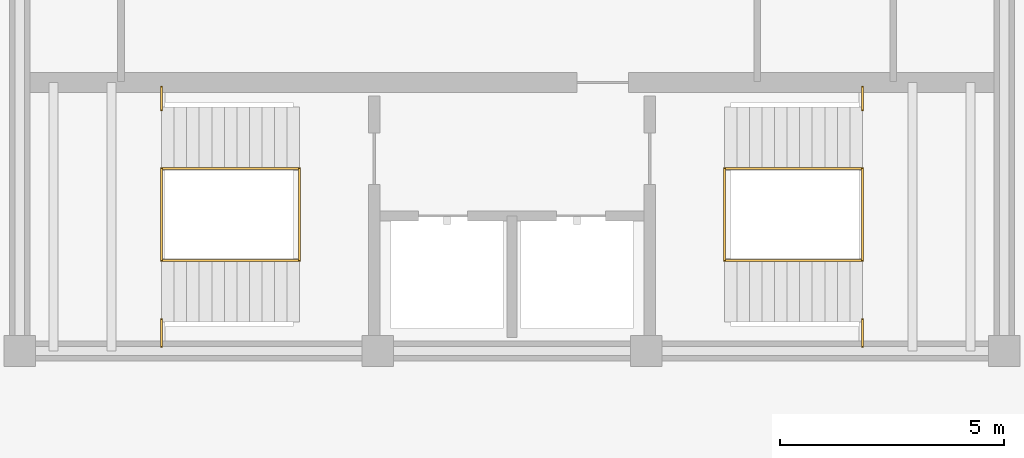
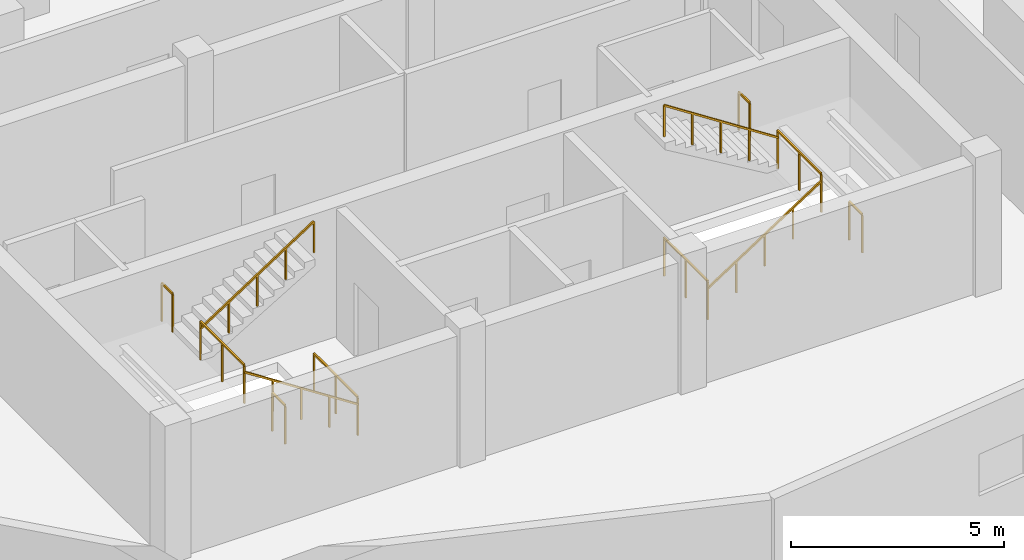
# One storey, part 4 of 5: 12 railings.
"""IFC4 building model written with IfcOpenShell, lengths in metres."""

import ifcopenshell
import ifcopenshell.guid

model = None  # the IFC model being written
_history = None  # IfcOwnerHistory: only IFC2X3 demands one
_inside = {}  # id of a spatial element -> (the spatial element, [elements in it])
_under = {}  # id of a project, library or spatial element -> (it, [spatial elements below it])
_declared = {}  # id of a project -> (the project, [libraries it declares])
_typed = {}  # id of a type object -> (the type object, [elements of that type])
_made_of = {}  # id of a material, layer set ... -> (it, [elements and type objects made of it])


def new_model(schema):
    """Start an empty IFC model of exactly this schema.

    Asked for "IFC4X3", IfcOpenShell would pick the latest addendum, in which some entities
    have other attributes; the version numbers below select the first issue.
    IFC2X3 requires an IfcOwnerHistory on every rooted entity: one is made here for all.
    """
    global model, _history
    if schema == "IFC4X3":
        model = ifcopenshell.file(schema_version=(4, 3, 0, 0))
    else:
        model = ifcopenshell.file(schema=schema)
    _inside.clear()
    _under.clear()
    _declared.clear()
    _typed.clear()
    _made_of.clear()
    _history = None
    if model.schema == "IFC2X3":
        org = make("IfcOrganization", Name="unknown")
        user = make(
            "IfcPersonAndOrganization",
            ThePerson=make("IfcPerson", FamilyName="unknown"),
            TheOrganization=org,
        )
        app = make(
            "IfcApplication",
            ApplicationDeveloper=org,
            Version="unknown",
            ApplicationFullName="unknown",
            ApplicationIdentifier="unknown",
        )
        _history = make(
            "IfcOwnerHistory",
            OwningUser=user,
            OwningApplication=app,
            ChangeAction="ADDED",
            CreationDate=0,
        )
    return model


def make(cls, **values):
    """One entity of the class cls with the attributes given. An attribute that is None is left unset."""
    return model.create_entity(
        cls, **{name: value for name, value in values.items() if value is not None}
    )


def rooted(cls, **values):
    """An entity with a GlobalId (a new one), such as an element, a storey or a relation."""
    return make(cls, GlobalId=ifcopenshell.guid.new(), OwnerHistory=_history, **values)


def si_unit(unit_type, name, prefix=None):
    """IfcSIUnit, for example si_unit("LENGTHUNIT", "METRE", prefix="MILLI")."""
    return make("IfcSIUnit", UnitType=unit_type, Prefix=prefix, Name=name)


def assignment(units):
    """IfcUnitAssignment: the units of a project."""
    return None if units is None else make("IfcUnitAssignment", Units=units)


def point(xyz):
    """IfcCartesianPoint."""
    return None if xyz is None else make("IfcCartesianPoint", Coordinates=xyz)


def direction(xyz):
    """IfcDirection."""
    return None if xyz is None else make("IfcDirection", DirectionRatios=xyz)


def frame(location, z_axis=None, x_axis=None):
    """IfcAxis2Placement3D, a coordinate frame: its origin and axes. An axis left out is left unset."""
    return make(
        "IfcAxis2Placement3D",
        Location=point(location),
        Axis=direction(z_axis),
        RefDirection=direction(x_axis),
    )


def frame_2d(location, x_axis=None):
    """IfcAxis2Placement2D, a coordinate frame in the plane: its origin and x axis."""
    return make(
        "IfcAxis2Placement2D", Location=point(location), RefDirection=direction(x_axis)
    )


def origin():
    """The frame at (0, 0, 0) with its axes left unset."""
    return frame((0.0, 0.0, 0.0))


def origin_2d():
    """The frame at (0, 0) in the plane with its x axis left unset."""
    return frame_2d((0.0, 0.0))


def place(relative_to, where):
    """IfcLocalPlacement: puts the frame where relative to a parent placement (None: the world)."""
    return make(
        "IfcLocalPlacement", PlacementRelTo=relative_to, RelativePlacement=where
    )


def context(
    kind, dimensions, precision=None, world=None, true_north=None, identifier=None
):
    """IfcGeometricRepresentationContext, for example the 3D "Model" context."""
    return make(
        "IfcGeometricRepresentationContext",
        ContextIdentifier=identifier,
        ContextType=kind,
        CoordinateSpaceDimension=dimensions,
        Precision=precision,
        WorldCoordinateSystem=world,
        TrueNorth=true_north,
    )


def subcontext(parent, identifier, kind, view, scale=None):
    """IfcGeometricRepresentationSubContext, for example "Body" below "Model"."""
    return make(
        "IfcGeometricRepresentationSubContext",
        ContextIdentifier=identifier,
        ContextType=kind,
        ParentContext=parent,
        TargetScale=scale,
        TargetView=view,
    )


def project(units=None, contexts=None):
    """IfcProject with its units and contexts."""
    return rooted(
        "IfcProject",
        Name="project",
        RepresentationContexts=contexts,
        UnitsInContext=assignment(units),
    )


def spatial(cls, under=None, at=None, **own):
    """A site, building, storey or space (cls), placed at a placement, below another one or the project."""
    s = rooted(cls, ObjectPlacement=at, **own)
    if under is not None:
        _under.setdefault(under.id(), (under, []))[1].append(s)
    return s


def profile(cls, at=None, kind="AREA", **sizes):
    """A parametric profile (cls). Its sizes go by their IFC names, for example OverallWidth=200.0."""
    return make(cls, ProfileType=kind, Position=at, **sizes)


def rectangle(**sizes):
    """IfcRectangleProfileDef."""
    return profile("IfcRectangleProfileDef", **sizes)


def extrude(swept, where, along, depth):
    """IfcExtrudedAreaSolid: the profile swept, set in the frame where, extruded along a direction by depth."""
    return make(
        "IfcExtrudedAreaSolid",
        SweptArea=swept,
        Position=where,
        ExtrudedDirection=direction(along),
        Depth=depth,
    )


def shape(context_of_items, identifier, shape_type, items):
    """IfcShapeRepresentation: the items that make up one representation, for example the "Body"."""
    return make(
        "IfcShapeRepresentation",
        ContextOfItems=context_of_items,
        RepresentationIdentifier=identifier,
        RepresentationType=shape_type,
        Items=items,
    )


def material(Name=None, Category=None):
    """IfcMaterial."""
    return make("IfcMaterial", Name=Name, Category=Category)


def made_of(thing, what):
    """Note that an element or type object is made of a material, layer set ...; save() writes the relation."""
    if what is not None:
        _made_of.setdefault(what.id(), (what, []))[1].append(thing)
    return thing


def type_object(cls, material=None, **own):
    """A type object (cls), such as IfcWallType, which elements share."""
    return made_of(rooted(cls, **own), material)


def element(
    cls,
    number,
    at=None,
    inside=None,
    cuts=None,
    type_object=None,
    material=None,
    context=None,
    identifier="Body",
    shape_type=None,
    held_by="IfcProductDefinitionShape",
    body=None,
    shapes=None,
    **own,
):
    """One element of the class cls, such as IfcWall. Its Tag is "e" and its number.

    at: its placement. inside: the storey or other place that contains it. cuts: it is an
    opening in that element (IfcRelVoidsElement). A single representation is given by context,
    identifier, shape_type and body (its items); several are given by shapes. held_by: the class
    of the entity that holds the representations. save() writes the other relations.
    """
    e = rooted(cls, Tag="e%d" % number, ObjectPlacement=at, **own)
    if body is not None:
        shapes = [shape(context, identifier, shape_type, body)]
    if shapes is not None:
        e.Representation = make(held_by, Representations=shapes)
    if inside is not None:
        _inside.setdefault(inside.id(), (inside, []))[1].append(e)
    if cuts is not None:
        rooted(
            "IfcRelVoidsElement", RelatingBuildingElement=cuts, RelatedOpeningElement=e
        )
    if type_object is not None:
        _typed.setdefault(type_object.id(), (type_object, []))[1].append(e)
    return made_of(e, material)


def aggregate(whole, parts):
    """IfcRelAggregates: a whole, such as a stair, and the parts it consists of."""
    return rooted("IfcRelAggregates", RelatingObject=whole, RelatedObjects=parts)


def save(model, path):
    """Write the relations noted so far, then the file.

    IfcRelAggregates (storeys below a building ...), IfcRelContainedInSpatialStructure (elements
    in a storey), IfcRelDefinesByType, IfcRelAssociatesMaterial and IfcRelDeclares: one each for
    every whole, place, type object, material and project.
    """
    for whole, parts in _under.values():
        aggregate(whole, parts)
    for where, things in _inside.values():
        rooted(
            "IfcRelContainedInSpatialStructure",
            RelatedElements=things,
            RelatingStructure=where,
        )
    for kind, things in _typed.values():
        rooted("IfcRelDefinesByType", RelatedObjects=things, RelatingType=kind)
    for what, things in _made_of.values():
        rooted("IfcRelAssociatesMaterial", RelatedObjects=things, RelatingMaterial=what)
    for by, libraries in _declared.values():
        rooted("IfcRelDeclares", RelatingContext=by, RelatedDefinitions=libraries)
    model.write(path)


model = new_model("IFC4")

# Units and contexts
model_context = context("Model", 3, precision=1e-05, world=origin(), true_north=direction((0.0, 1.0)))
body_context = subcontext(model_context, "Body", "Model", "MODEL_VIEW")
ifc_project = project(units=[si_unit("LENGTHUNIT", "METRE"), si_unit("AREAUNIT", "SQUARE_METRE"), si_unit("VOLUMEUNIT", "CUBIC_METRE"), si_unit("PLANEANGLEUNIT", "RADIAN"), si_unit("MASSUNIT", "GRAM", prefix="KILO")], contexts=[model_context])

# Site, building, storey
site_placement = place(None, origin())
site = spatial("IfcSite", under=ifc_project, at=site_placement, CompositionType="ELEMENT")
building_placement = place(site_placement, origin())
building = spatial("IfcBuilding", under=site, at=building_placement, Name="Kazevale Care Tower and Concert Hall", CompositionType="ELEMENT")
storey_placement = place(building_placement, frame((0.0, 0.0, 304.800048828125)))
storey = spatial("IfcBuildingStorey", under=building, at=storey_placement, Name="L80", CompositionType="ELEMENT", Elevation=304.800048828125)

# Railings
ifc_material = material(Name="Stainless Steel 316", Category="steel")
railing_type_1 = type_object("IfcRailingType", Name="Stair Pitch Handrail 920", PredefinedType="HANDRAIL", material=ifc_material)
railing_1_placement = place(storey_placement, frame((28.25, 25.6201171875, 0.0)))
element("IfcRailing", 1, at=railing_1_placement, inside=storey, type_object=railing_type_1, Name="stair:L80:ST1:hr1", PredefinedType="HANDRAIL", context=body_context, shape_type="SweptSolid", body=[
    extrude(rectangle(XDim=0.048095703125, YDim=0.048095703125, at=origin_2d()), frame((0.0, 0.0, 0.89599609375), z_axis=(-0.838698691485, 0.0, 0.544595726113), x_axis=(0.0, -1.0, 0.0)), (0.0, 0.0, 1.0), 3.67236328125),
    extrude(rectangle(XDim=0.0419921875, YDim=0.0419921875, at=origin_2d()), origin(), (0.0, 0.0, 1.0), 0.871826171875),
    extrude(rectangle(XDim=0.0419921875, YDim=0.0419921875, at=origin_2d()), frame((-0.77001953125, 0.0, 0.5)), (0.0, 0.0, 1.0), 0.871826171875),
    extrude(rectangle(XDim=0.0419921875, YDim=0.0419921875, at=origin_2d()), frame((-1.5400390625, 0.0, 1.0)), (0.0, 0.0, 1.0), 0.871826171875),
    extrude(rectangle(XDim=0.0419921875, YDim=0.0419921875, at=origin_2d()), frame((-2.31005859375, 0.0, 1.5)), (0.0, 0.0, 1.0), 0.871826171875),
    extrude(rectangle(XDim=0.0419921875, YDim=0.0419921875, at=origin_2d()), frame((-3.080078125, 0.0, 2.0)), (0.0, 0.0, 1.0), 0.871826171875),
])
for number, where, name in (
    (2, (25.169921875, 27.679931640625, 2.0), "stair:L80:ST1:hr2"),
    (3, (37.75, 25.6201171875, 0.0), "stair:L80:ST2:hr1"),
):
    element("IfcRailing", number, at=place(storey_placement, frame(where)), inside=storey, type_object=railing_type_1, Name=name, PredefinedType="HANDRAIL", context=body_context, shape_type="SweptSolid", body=[
        extrude(rectangle(XDim=0.048095703125, YDim=0.048095703125, at=origin_2d()), frame((0.0, 0.0, 0.89599609375), z_axis=(0.838698691485, 0.0, 0.544595726113), x_axis=(0.0, 1.0, 0.0)), (0.0, 0.0, 1.0), 3.67236328125),
        extrude(rectangle(XDim=0.0419921875, YDim=0.0419921875, at=origin_2d()), origin(), (0.0, 0.0, 1.0), 0.871826171875),
        extrude(rectangle(XDim=0.0419921875, YDim=0.0419921875, at=origin_2d()), frame((0.77001953125, 0.0, 0.5)), (0.0, 0.0, 1.0), 0.871826171875),
        extrude(rectangle(XDim=0.0419921875, YDim=0.0419921875, at=origin_2d()), frame((1.5400390625, 0.0, 1.0)), (0.0, 0.0, 1.0), 0.871826171875),
        extrude(rectangle(XDim=0.0419921875, YDim=0.0419921875, at=origin_2d()), frame((2.31005859375, 0.0, 1.5)), (0.0, 0.0, 1.0), 0.871826171875),
        extrude(rectangle(XDim=0.0419921875, YDim=0.0419921875, at=origin_2d()), frame((3.080078125, 0.0, 2.0)), (0.0, 0.0, 1.0), 0.871826171875),
    ])
railing_2_placement = place(storey_placement, frame((40.830078125, 27.679931640625, 2.0)))
element("IfcRailing", 4, at=railing_2_placement, inside=storey, type_object=railing_type_1, Name="stair:L80:ST2:hr2", PredefinedType="HANDRAIL", context=body_context, shape_type="SweptSolid", body=[
    extrude(rectangle(XDim=0.048095703125, YDim=0.048095703125, at=origin_2d()), frame((0.0, 0.0, 0.89599609375), z_axis=(-0.838698691485, 0.0, 0.544595726113), x_axis=(0.0, -1.0, 0.0)), (0.0, 0.0, 1.0), 3.67236328125),
    extrude(rectangle(XDim=0.0419921875, YDim=0.0419921875, at=origin_2d()), origin(), (0.0, 0.0, 1.0), 0.871826171875),
    extrude(rectangle(XDim=0.0419921875, YDim=0.0419921875, at=origin_2d()), frame((-0.77001953125, 0.0, 0.5)), (0.0, 0.0, 1.0), 0.871826171875),
    extrude(rectangle(XDim=0.0419921875, YDim=0.0419921875, at=origin_2d()), frame((-1.5400390625, 0.0, 1.0)), (0.0, 0.0, 1.0), 0.871826171875),
    extrude(rectangle(XDim=0.0419921875, YDim=0.0419921875, at=origin_2d()), frame((-2.31005859375, 0.0, 1.5)), (0.0, 0.0, 1.0), 0.871826171875),
    extrude(rectangle(XDim=0.0419921875, YDim=0.0419921875, at=origin_2d()), frame((-3.080078125, 0.0, 2.0)), (0.0, 0.0, 1.0), 0.871826171875),
])
railing_type_2 = type_object("IfcRailingType", Name="Stair Well Guard Balustrade 1120", PredefinedType="BALUSTRADE", material=ifc_material)
railing_3_placement = place(storey_placement, frame((25.169921875, 23.699951171875, 2.0)))
element("IfcRailing", 5, at=railing_3_placement, inside=storey, type_object=railing_type_2, Name="stair:L80:ST1:grd_side1", PredefinedType="BALUSTRADE", context=body_context, shape_type="SweptSolid", body=[
    extrude(rectangle(XDim=0.048095703125, YDim=0.048095703125, at=origin_2d()), frame((0.0, 0.0, 1.09619140625), z_axis=(0.0, 1.0, 0.0), x_axis=(-1.0, 0.0, 0.0)), (0.0, 0.0, 1.0), 0.610107421875),
    extrude(rectangle(XDim=0.0419921875, YDim=0.0419921875, at=origin_2d()), origin(), (0.0, 0.0, 1.0), 1.072021484375),
    extrude(rectangle(XDim=0.0419921875, YDim=0.0419921875, at=origin_2d()), frame((0.0, 0.610107421875, 0.0)), (0.0, 0.0, 1.0), 1.072021484375),
])
railing_4_placement = place(storey_placement, frame((25.169921875, 28.989990234375, 2.0)))
element("IfcRailing", 6, at=railing_4_placement, inside=storey, type_object=railing_type_2, Name="stair:L80:ST1:grd_side2", PredefinedType="BALUSTRADE", context=body_context, shape_type="SweptSolid", body=[
    extrude(rectangle(XDim=0.048095703125, YDim=0.048095703125, at=origin_2d()), frame((0.0, 0.0, 1.09619140625), z_axis=(0.0, 1.0, 0.0), x_axis=(-1.0, 0.0, 0.0)), (0.0, 0.0, 1.0), 0.510009765625),
    extrude(rectangle(XDim=0.0419921875, YDim=0.0419921875, at=origin_2d()), origin(), (0.0, 0.0, 1.0), 1.072021484375),
    extrude(rectangle(XDim=0.0419921875, YDim=0.0419921875, at=origin_2d()), frame((0.0, 0.510009765625, 0.0)), (0.0, 0.0, 1.0), 1.072021484375),
])
for number, where, name in (
    (7, (25.169921875, 25.6201171875, 2.0), "stair:L80:ST1:grd_mid"),
    (8, (28.25, 25.6201171875, 0.0), "stair:L80:ST1:grd_flr"),
):
    element("IfcRailing", number, at=place(storey_placement, frame(where)), inside=storey, type_object=railing_type_2, Name=name, PredefinedType="BALUSTRADE", context=body_context, shape_type="SweptSolid", body=[
        extrude(rectangle(XDim=0.048095703125, YDim=0.048095703125, at=origin_2d()), frame((0.0, 0.0, 1.09619140625), z_axis=(0.0, 1.0, 0.0), x_axis=(-1.0, 0.0, 0.0)), (0.0, 0.0, 1.0), 2.059814453125),
        extrude(rectangle(XDim=0.0419921875, YDim=0.0419921875, at=origin_2d()), origin(), (0.0, 0.0, 1.0), 1.072021484375),
        extrude(rectangle(XDim=0.0419921875, YDim=0.0419921875, at=origin_2d()), frame((0.0, 1.02978515625, 0.0)), (0.0, 0.0, 1.0), 1.072021484375),
        extrude(rectangle(XDim=0.0419921875, YDim=0.0419921875, at=origin_2d()), frame((0.0, 2.059814453125, 0.0)), (0.0, 0.0, 1.0), 1.072021484375),
    ])
railing_5_placement = place(storey_placement, frame((40.830078125, 23.699951171875, 2.0)))
element("IfcRailing", 9, at=railing_5_placement, inside=storey, type_object=railing_type_2, Name="stair:L80:ST2:grd_side1", PredefinedType="BALUSTRADE", context=body_context, shape_type="SweptSolid", body=[
    extrude(rectangle(XDim=0.048095703125, YDim=0.048095703125, at=origin_2d()), frame((0.0, 0.0, 1.09619140625), z_axis=(0.0, 1.0, 0.0), x_axis=(-1.0, 0.0, 0.0)), (0.0, 0.0, 1.0), 0.610107421875),
    extrude(rectangle(XDim=0.0419921875, YDim=0.0419921875, at=origin_2d()), origin(), (0.0, 0.0, 1.0), 1.072021484375),
    extrude(rectangle(XDim=0.0419921875, YDim=0.0419921875, at=origin_2d()), frame((0.0, 0.610107421875, 0.0)), (0.0, 0.0, 1.0), 1.072021484375),
])
railing_6_placement = place(storey_placement, frame((40.830078125, 28.989990234375, 2.0)))
element("IfcRailing", 10, at=railing_6_placement, inside=storey, type_object=railing_type_2, Name="stair:L80:ST2:grd_side2", PredefinedType="BALUSTRADE", context=body_context, shape_type="SweptSolid", body=[
    extrude(rectangle(XDim=0.048095703125, YDim=0.048095703125, at=origin_2d()), frame((0.0, 0.0, 1.09619140625), z_axis=(0.0, 1.0, 0.0), x_axis=(-1.0, 0.0, 0.0)), (0.0, 0.0, 1.0), 0.510009765625),
    extrude(rectangle(XDim=0.0419921875, YDim=0.0419921875, at=origin_2d()), origin(), (0.0, 0.0, 1.0), 1.072021484375),
    extrude(rectangle(XDim=0.0419921875, YDim=0.0419921875, at=origin_2d()), frame((0.0, 0.510009765625, 0.0)), (0.0, 0.0, 1.0), 1.072021484375),
])
for number, where, name in (
    (11, (40.830078125, 25.6201171875, 2.0), "stair:L80:ST2:grd_mid"),
    (12, (37.75, 25.6201171875, 0.0), "stair:L80:ST2:grd_flr"),
):
    element("IfcRailing", number, at=place(storey_placement, frame(where)), inside=storey, type_object=railing_type_2, Name=name, PredefinedType="BALUSTRADE", context=body_context, shape_type="SweptSolid", body=[
        extrude(rectangle(XDim=0.048095703125, YDim=0.048095703125, at=origin_2d()), frame((0.0, 0.0, 1.09619140625), z_axis=(0.0, 1.0, 0.0), x_axis=(-1.0, 0.0, 0.0)), (0.0, 0.0, 1.0), 2.059814453125),
        extrude(rectangle(XDim=0.0419921875, YDim=0.0419921875, at=origin_2d()), origin(), (0.0, 0.0, 1.0), 1.072021484375),
        extrude(rectangle(XDim=0.0419921875, YDim=0.0419921875, at=origin_2d()), frame((0.0, 1.02978515625, 0.0)), (0.0, 0.0, 1.0), 1.072021484375),
        extrude(rectangle(XDim=0.0419921875, YDim=0.0419921875, at=origin_2d()), frame((0.0, 2.059814453125, 0.0)), (0.0, 0.0, 1.0), 1.072021484375),
    ])

save(model, "model.ifc")
